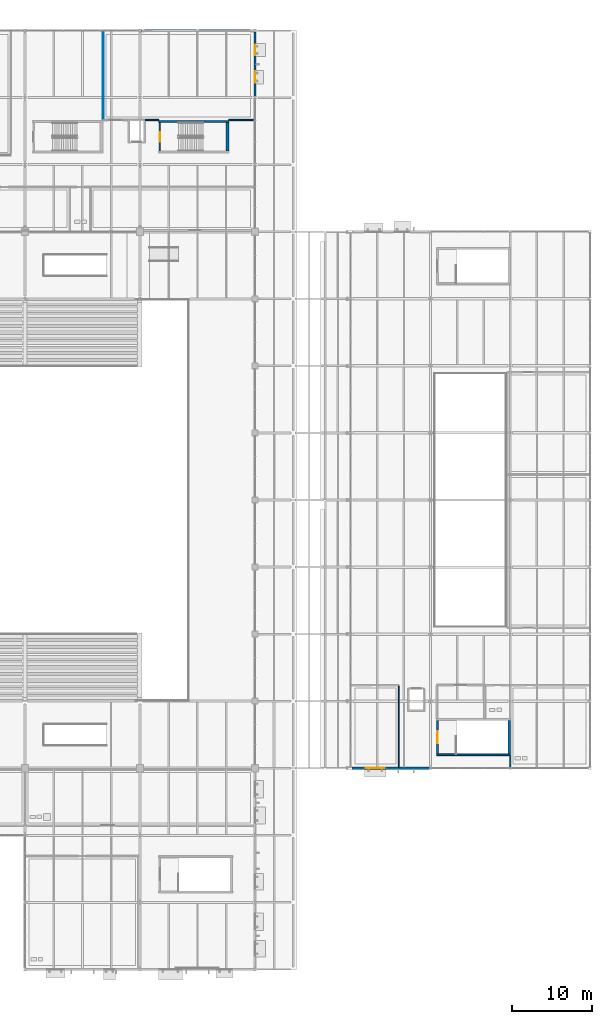
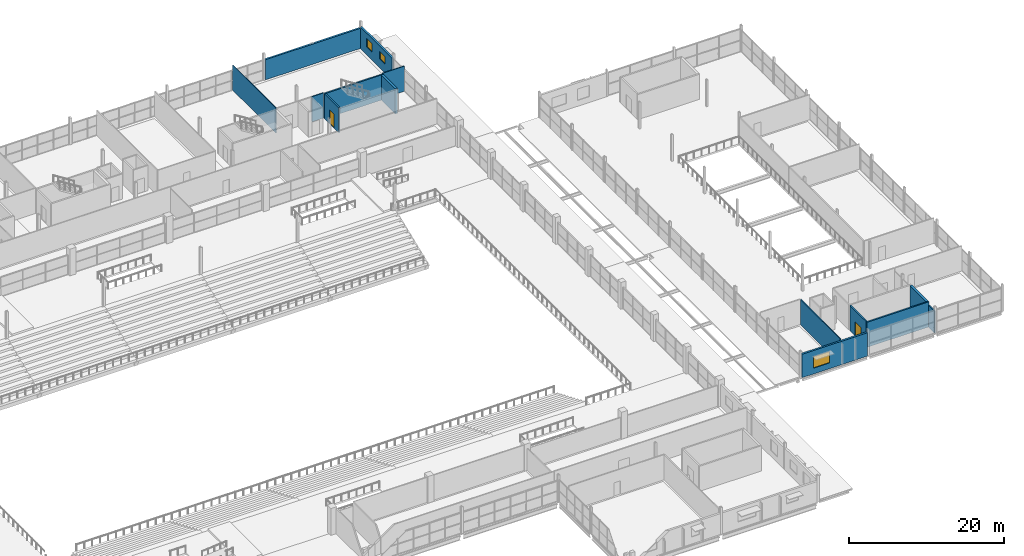
# One storey, part 139 of 161: 14 walls, 3 windows, 2 doors, 5 openings.
"""IFC4 building model written with IfcOpenShell, lengths in metres."""

from ifc_helpers import new_model, si_unit, direction, frame, frame_2d, origin, place, context, subcontext, project, spatial, rectangle, extrude, material, layer, layer_set, type_object, element, fill, save


model = new_model("IFC4")

# Units and contexts
model_context = context("Model", 3, precision=1e-05, world=origin(), true_north=direction((0.0, 1.0)))
body_context = subcontext(model_context, "Body", "Model", "MODEL_VIEW")
ifc_project = project(units=[si_unit("LENGTHUNIT", "METRE"), si_unit("AREAUNIT", "SQUARE_METRE"), si_unit("VOLUMEUNIT", "CUBIC_METRE"), si_unit("PLANEANGLEUNIT", "RADIAN"), si_unit("MASSUNIT", "GRAM", prefix="KILO"), si_unit("THERMODYNAMICTEMPERATUREUNIT", "KELVIN")], contexts=[model_context])

# Site, building, storey
site_placement = place(None, origin())
site = spatial("IfcSite", under=ifc_project, at=site_placement, CompositionType="ELEMENT")
building_placement = place(site_placement, origin())
building = spatial("IfcBuilding", under=site, at=building_placement, Name="Nduvali Passage Aquatics Centre", CompositionType="ELEMENT")
storey_placement = place(building_placement, frame((0.0, 0.0, 4.800048828125)))
storey = spatial("IfcBuildingStorey", under=building, at=storey_placement, Name="L01", CompositionType="ELEMENT", Elevation=4.800048828125)

# Wall
ifc_material_1 = material(Name="Coral-stone masonry blockwork", Category="masonry")
ifc_layer_1 = layer(ifc_material_1, 0.280029296875, Name="Coral-stone masonry blockwork")
ifc_layer_set_1 = layer_set([ifc_layer_1], Name="Coral-stone masonry blockwork")
wall_type_1 = type_object("IfcWallType", Name="ENV-WAL-CORAL280", PredefinedType="STANDARD", material=ifc_layer_set_1)
wall_1_placement = place(storey_placement, frame((125.845458984375, 117.60009765625, 0.0), z_axis=(0.0, 0.0, 1.0), x_axis=(-1.0, 0.0, 0.0)))
element("IfcWall", 1, at=wall_1_placement, inside=storey, type_object=wall_type_1, Name="L01 North Avenue Civic Facade 0061", PredefinedType="STANDARD", context=body_context, shape_type="SweptSolid", body=[
    extrude(rectangle(XDim=14.0908203125, YDim=0.280029296875, at=frame_2d((7.04541015625, 0.0))), origin(), (0.0, 0.0, 1.0), 3.173828125),
])

# Wall, openings, windows
wall_2_placement = place(storey_placement, frame((126.0, 109.3603515625, 0.0), z_axis=(0.0, 0.0, 1.0), x_axis=(0.0, 1.0, 0.0)))
wall_2 = element("IfcWall", 2, at=wall_2_placement, inside=storey, type_object=wall_type_1, Name="L01 North Wing East Facade 0065", PredefinedType="STANDARD", context=body_context, shape_type="SweptSolid", body=[
    extrude(rectangle(XDim=8.079345703125, YDim=0.280029296875, at=frame_2d((4.03955078125, 0.0))), origin(), (0.0, 0.0, 1.0), 3.396484375),
])
opening_1_placement = place(wall_2_placement, frame((1.72412109375, 0.0, 1.35009765625)))
opening_1 = element("IfcOpeningElement", 3, at=opening_1_placement, cuts=wall_2, Name="Opening W13", PredefinedType="OPENING", context=body_context, shape_type="SweptSolid", body=[
    extrude(rectangle(XDim=1.39990234375, YDim=1.199951171875, at=frame_2d((0.699951171875, 0.60009765625))), frame((0.0, 0.15478515625, 0.0), z_axis=(0.0, -1.0, 0.0), x_axis=(1.0, 0.0, 0.0)), (0.0, 0.0, 1.0), 0.309814453125),
])
opening_2_placement = place(wall_2_placement, frame((5.1669921875, 0.0, 1.199951171875)))
opening_2 = element("IfcOpeningElement", 4, at=opening_2_placement, cuts=wall_2, Name="Opening W18", PredefinedType="OPENING", context=body_context, shape_type="SweptSolid", body=[
    extrude(rectangle(XDim=1.300048828125, YDim=1.35009765625, at=frame_2d((0.64990234375, 0.675048828125))), frame((0.0, 0.15478515625, 0.0), z_axis=(0.0, -1.0, 0.0), x_axis=(1.0, 0.0, 0.0)), (0.0, 0.0, 1.0), 0.309814453125),
])
ifc_material_2 = material(Name="Aluminium-framed solar-control low-E IGU", Category="aluminium")
window_type_1 = type_object("IfcWindowType", Name="ENV-WIN-W13", PartitioningType="SINGLE_PANEL", PredefinedType="WINDOW", material=ifc_material_2)
window_1_placement = place(opening_1_placement, origin())
window_1 = element("IfcWindow", 5, at=window_1_placement, inside=storey, type_object=window_type_1, Name="L01 Exterior Window W13-0064", OverallHeight=1.199951171875, OverallWidth=1.39990234375, PartitioningType="SINGLE_PANEL", PredefinedType="WINDOW", context=body_context, shape_type="SweptSolid", body=[
    extrude(rectangle(XDim=1.39990234375, YDim=1.199951171875, at=frame_2d((0.699951171875, 0.60009765625))), frame((0.0, 0.030029296875, 0.0), z_axis=(0.0, -1.0, 0.0), x_axis=(1.0, 0.0, 0.0)), (0.0, 0.0, 1.0), 0.06005859375),
])
fill(opening_1, window_1)
window_type_2 = type_object("IfcWindowType", Name="ENV-WIN-W18", PartitioningType="SINGLE_PANEL", PredefinedType="WINDOW", material=ifc_material_2)
window_2_placement = place(opening_2_placement, origin())
window_2 = element("IfcWindow", 6, at=window_2_placement, inside=storey, type_object=window_type_2, Name="L01 Exterior Window W18-0065", OverallHeight=1.35009765625, OverallWidth=1.300048828125, PartitioningType="SINGLE_PANEL", PredefinedType="WINDOW", context=body_context, shape_type="SweptSolid", body=[
    extrude(rectangle(XDim=1.300048828125, YDim=1.35009765625, at=frame_2d((0.64990234375, 0.675048828125))), frame((0.0, 0.030029296875, 0.0), z_axis=(0.0, -1.0, 0.0), x_axis=(1.0, 0.0, 0.0)), (0.0, 0.0, 1.0), 0.06005859375),
])
fill(opening_2, window_2)

# Wall, opening, window
wall_3_placement = place(storey_placement, frame((138.14990234375, 25.199951171875, 0.0), z_axis=(0.0, 0.0, 1.0), x_axis=(1.0, 0.0, 0.0)))
wall_3 = element("IfcWall", 7, at=wall_3_placement, inside=storey, type_object=wall_type_1, Name="L01 East Pavilion South Facade 0099", PredefinedType="STANDARD", context=body_context, shape_type="SweptSolid", body=[
    extrude(rectangle(XDim=9.710205078125, YDim=0.280029296875, at=frame_2d((4.85498046875, 0.0))), origin(), (0.0, 0.0, 1.0), 3.676025390625),
])
opening_3_placement = place(wall_3_placement, frame((1.712890625, 0.0, 0.89990234375)))
opening_3 = element("IfcOpeningElement", 8, at=opening_3_placement, cuts=wall_3, Name="Opening W1", PredefinedType="OPENING", context=body_context, shape_type="SweptSolid", body=[
    extrude(rectangle(XDim=2.39990234375, YDim=1.800048828125, at=frame_2d((1.199951171875, 0.89990234375))), frame((0.0, 0.15478515625, 0.0), z_axis=(0.0, -1.0, 0.0), x_axis=(1.0, 0.0, 0.0)), (0.0, 0.0, 1.0), 0.309814453125),
])
window_type_3 = type_object("IfcWindowType", Name="ENV-WIN-W1", PartitioningType="SINGLE_PANEL", PredefinedType="WINDOW", material=ifc_material_2)
window_3_placement = place(opening_3_placement, origin())
window_3 = element("IfcWindow", 9, at=window_3_placement, inside=storey, type_object=window_type_3, Name="L01 Exterior Window W1-0089", OverallHeight=1.800048828125, OverallWidth=2.39990234375, PartitioningType="SINGLE_PANEL", PredefinedType="WINDOW", context=body_context, shape_type="SweptSolid", body=[
    extrude(rectangle(XDim=2.39990234375, YDim=1.800048828125, at=frame_2d((1.199951171875, 0.89990234375))), frame((0.0, 0.030029296875, 0.0), z_axis=(0.0, -1.0, 0.0), x_axis=(1.0, 0.0, 0.0)), (0.0, 0.0, 1.0), 0.06005859375),
])
fill(opening_3, window_3)

# Wall
ifc_material_3 = material(Name="Concrete C40/50", Category="concrete")
ifc_layer_2 = layer(ifc_material_3, 0.219970703125, Name="Concrete C40/50")
ifc_layer_set_2 = layer_set([ifc_layer_2], Name="Concrete C40/50")
wall_type_2 = type_object("IfcWallType", Name="INT-WAL-CORE220", PredefinedType="SOLIDWALL", material=ifc_layer_set_2)
wall_4_placement = place(storey_placement, frame((122.75, 106.199951171875, 0.0), z_axis=(0.0, 0.0, 1.0), x_axis=(-1.0, 0.0, 0.0)))
element("IfcWall", 10, at=wall_4_placement, inside=storey, type_object=wall_type_2, Name="L01 Stair ST2 Core Wall N", PredefinedType="SOLIDWALL", context=body_context, shape_type="SweptSolid", body=[
    extrude(rectangle(XDim=8.77001953125, YDim=0.219970703125, at=frame_2d((4.385009765625, 0.0))), origin(), (0.0, 0.0, 1.0), 3.93994140625),
])

# Wall, opening, door
wall_5_placement = place(storey_placement, frame((114.090087890625, 106.090087890625, 0.0), z_axis=(0.0, 0.0, 1.0), x_axis=(0.0, -1.0, 0.0)))
wall_5 = element("IfcWall", 11, at=wall_5_placement, inside=storey, type_object=wall_type_2, Name="L01 Stair ST2 Core Wall W", PredefinedType="SOLIDWALL", context=body_context, shape_type="SweptSolid", body=[
    extrude(rectangle(XDim=3.590087890625, YDim=0.219970703125, at=frame_2d((1.794921875, 0.0))), origin(), (0.0, 0.0, 1.0), 3.93994140625),
])
opening_4_placement = place(wall_5_placement, frame((1.195068359375, 0.0, 0.0)))
opening_4 = element("IfcOpeningElement", 12, at=opening_4_placement, cuts=wall_5, Name="Opening FD-ST2", PredefinedType="OPENING", context=body_context, shape_type="SweptSolid", body=[
    extrude(rectangle(XDim=1.199951171875, YDim=2.199951171875, at=frame_2d((0.60009765625, 1.10009765625))), frame((0.0, 0.125, 0.0), z_axis=(0.0, -1.0, 0.0), x_axis=(1.0, 0.0, 0.0)), (0.0, 0.0, 1.0), 0.249755859375),
])
ifc_material_4 = material(Name="Galvanised steel door", Category="steel")
door_type_1 = type_object("IfcDoorType", Name="INT-DR-ST120", OperationType="NOTDEFINED", PredefinedType="DOOR", material=ifc_material_4)
door_1_placement = place(opening_4_placement, frame((1.199951171875, 0.0, 0.0), z_axis=(0.0, 0.0, 1.0), x_axis=(-1.0, 0.0, 0.0)))
door_1 = element("IfcDoor", 13, at=door_1_placement, inside=storey, type_object=door_type_1, Name="L01 Stair ST2 Fire Lobby Door", OperationType="SINGLE_SWING_RIGHT", OverallHeight=2.199951171875, OverallWidth=1.199951171875, PredefinedType="DOOR", context=body_context, shape_type="SweptSolid", body=[
    extrude(rectangle(XDim=1.199951171875, YDim=2.199951171875, at=frame_2d((0.60009765625, 1.10009765625))), frame((0.0, 0.02490234375, 0.0), z_axis=(0.0, -1.0, 0.0), x_axis=(1.0, 0.0, 0.0)), (0.0, 0.0, 1.0), 0.050048828125),
])
fill(opening_4, door_1)

# Wall
wall_6_placement = place(storey_placement, frame((148.780029296875, 26.889892578125, 0.0), z_axis=(0.0, 0.0, 1.0), x_axis=(1.0, 0.0, 0.0)))
element("IfcWall", 14, at=wall_6_placement, inside=storey, type_object=wall_type_2, Name="L01 Stair ST7 Core Wall S", PredefinedType="SOLIDWALL", context=body_context, shape_type="SweptSolid", body=[
    extrude(rectangle(XDim=9.219970703125, YDim=0.219970703125, at=frame_2d((4.60986328125, 0.0))), origin(), (0.0, 0.0, 1.0), 3.93994140625),
])

# Wall, opening, door
wall_7_placement = place(storey_placement, frame((148.889892578125, 31.18994140625, 0.0), z_axis=(0.0, 0.0, 1.0), x_axis=(0.0, -1.0, 0.0)))
wall_7 = element("IfcWall", 15, at=wall_7_placement, inside=storey, type_object=wall_type_2, Name="L01 Stair ST7 Core Wall W", PredefinedType="SOLIDWALL", context=body_context, shape_type="SweptSolid", body=[
    extrude(rectangle(XDim=4.18994140625, YDim=0.219970703125, at=frame_2d((2.094970703125, 0.0))), origin(), (0.0, 0.0, 1.0), 3.93994140625),
])
opening_5_placement = place(wall_7_placement, frame((1.344970703125, 0.0, 0.0)))
opening_5 = element("IfcOpeningElement", 16, at=opening_5_placement, cuts=wall_7, Name="Opening FD-ST1", PredefinedType="OPENING", context=body_context, shape_type="SweptSolid", body=[
    extrude(rectangle(XDim=1.5, YDim=2.199951171875, at=frame_2d((0.75, 1.10009765625))), frame((0.0, 0.125, 0.0), z_axis=(0.0, -1.0, 0.0), x_axis=(1.0, 0.0, 0.0)), (0.0, 0.0, 1.0), 0.249755859375),
])
door_type_2 = type_object("IfcDoorType", Name="INT-DR-ST150", OperationType="DOUBLE_DOOR_SINGLE_SWING", PredefinedType="DOOR", material=ifc_material_4)
door_2_placement = place(opening_5_placement, frame((1.5, 0.0, 0.0), z_axis=(0.0, 0.0, 1.0), x_axis=(-1.0, 0.0, 0.0)))
door_2 = element("IfcDoor", 17, at=door_2_placement, inside=storey, type_object=door_type_2, Name="L01 Stair ST7 Fire Lobby Door", OperationType="DOUBLE_DOOR_SINGLE_SWING", OverallHeight=2.199951171875, OverallWidth=1.5, PredefinedType="DOOR", context=body_context, shape_type="SweptSolid", body=[
    extrude(rectangle(XDim=1.5, YDim=2.199951171875, at=frame_2d((0.75, 1.10009765625))), frame((0.0, 0.02490234375, 0.0), z_axis=(0.0, -1.0, 0.0), x_axis=(1.0, 0.0, 0.0)), (0.0, 0.0, 1.0), 0.050048828125),
])
fill(opening_5, door_2)

# Walls
ifc_material_5 = material(Name="Glulam GL28h", Category="wood")
ifc_layer_3 = layer(ifc_material_5, 0.10009765625, Name="Glulam GL28h")
ifc_layer_set_3 = layer_set([ifc_layer_3], Name="Glulam GL28h")
wall_type_3 = type_object("IfcWallType", Name="INT-WAL-MOV100", PredefinedType="MOVABLE", material=ifc_layer_set_3)
wall_8_placement = place(storey_placement, frame((107.0, 106.469970703125, 0.0), z_axis=(0.0, 0.0, 1.0), x_axis=(0.0, 1.0, 0.0)))
element("IfcWall", 18, at=wall_8_placement, inside=storey, type_object=wall_type_3, Name="L01 Athletic Recovery Stretch Studio Partition 0157", PredefinedType="MOVABLE", context=body_context, shape_type="SweptSolid", body=[
    extrude(rectangle(XDim=11.110107421875, YDim=0.10009765625, at=frame_2d((5.55517578125, 0.0))), origin(), (0.0, 0.0, 1.0), 3.93994140625),
])
ifc_material_6 = material(Name="Gypsum acoustic stud partition")
ifc_layer_4 = layer(ifc_material_6, 0.139892578125, Name="Gypsum acoustic stud partition")
ifc_layer_set_4 = layer_set([ifc_layer_4], Name="Gypsum acoustic stud partition")
wall_type_4 = type_object("IfcWallType", Name="INT-WAL-PART140", PredefinedType="PARTITIONING", material=ifc_layer_set_4)
wall_9_placement = place(storey_placement, frame((112.27001953125, 106.39990234375, 0.0), z_axis=(0.0, 0.0, 1.0), x_axis=(1.0, 0.0, 0.0)))
element("IfcWall", 19, at=wall_9_placement, inside=storey, type_object=wall_type_4, Name="L01 Athletic Recovery Stretch Studio Partition 0155", PredefinedType="PARTITIONING", context=body_context, shape_type="SweptSolid", body=[
    extrude(rectangle(XDim=1.7099609375, YDim=0.139892578125, at=frame_2d((0.85498046875, 0.0))), origin(), (0.0, 0.0, 1.0), 3.93994140625),
])
wall_10_placement = place(storey_placement, frame((122.75, 106.39990234375, 0.0), z_axis=(0.0, 0.0, 1.0), x_axis=(1.0, 0.0, 0.0)))
element("IfcWall", 20, at=wall_10_placement, inside=storey, type_object=wall_type_4, Name="L01 Athletic Recovery Stretch Studio Partition 0156", PredefinedType="PARTITIONING", context=body_context, shape_type="SweptSolid", body=[
    extrude(rectangle(XDim=3.22998046875, YDim=0.139892578125, at=frame_2d((1.614990234375, 0.0))), origin(), (0.0, 0.0, 1.0), 3.93994140625),
])
wall_11_placement = place(storey_placement, frame((144.0, 25.340087890625, 0.0), z_axis=(0.0, 0.0, 1.0), x_axis=(0.0, 1.0, 0.0)))
element("IfcWall", 21, at=wall_11_placement, inside=storey, type_object=wall_type_4, Name="L01 Event Media Accreditation Office Partition 0159", PredefinedType="PARTITIONING", context=body_context, shape_type="SweptSolid", body=[
    extrude(rectangle(XDim=10.18994140625, YDim=0.139892578125, at=frame_2d((5.094970703125, 0.0))), origin(), (0.0, 0.0, 1.0), 3.93994140625),
])
ifc_layer_5 = layer(ifc_material_1, 0.14990234375, Name="Coral-stone masonry blockwork")
ifc_layer_set_5 = layer_set([ifc_layer_5], Name="Coral-stone masonry blockwork")
wall_type_5 = type_object("IfcWallType", Name="INT-WAL-WET150", PredefinedType="PLUMBINGWALL", material=ifc_layer_set_5)
wall_12_placement = place(storey_placement, frame((158.0, 25.219970703125, 0.0), z_axis=(0.0, 0.0, 1.0), x_axis=(0.0, 1.0, 0.0)))
element("IfcWall", 22, at=wall_12_placement, inside=storey, type_object=wall_type_5, Name="L01 Upper Pavilion Public and Doping Sample WCs Partition 0166", PredefinedType="PLUMBINGWALL", context=body_context, shape_type="SweptSolid", body=[
    extrude(rectangle(XDim=1.56005859375, YDim=0.14990234375, at=frame_2d((0.780029296875, 0.0))), origin(), (0.0, 0.0, 1.0), 3.436279296875),
])
ifc_layer_6 = layer(ifc_material_3, 0.300048828125, Name="Concrete C40/50")
ifc_layer_set_6 = layer_set([ifc_layer_6], Name="Concrete C40/50")
wall_type_6 = type_object("IfcWallType", Name="STR-WAL-SHR300", PredefinedType="SHEAR", material=ifc_layer_set_6)
wall_13_placement = place(storey_placement, frame((157.85009765625, 27.0, 0.0), z_axis=(0.0, 0.0, 1.0), x_axis=(0.0, 1.0, 0.0)))
element("IfcWall", 23, at=wall_13_placement, inside=storey, type_object=wall_type_6, Name="L01 Stair ST7 Core Shear Wall E", PredefinedType="SHEAR", context=body_context, shape_type="SweptSolid", body=[
    extrude(rectangle(XDim=4.18994140625, YDim=0.300048828125, at=frame_2d((2.094970703125, 0.0))), origin(), (0.0, 0.0, 1.0), 3.93994140625),
])
ifc_layer_7 = layer(ifc_material_3, 0.35009765625, Name="Concrete C40/50")
ifc_layer_set_7 = layer_set([ifc_layer_7], Name="Concrete C40/50")
wall_type_7 = type_object("IfcWallType", Name="STR-WAL-SHR350", PredefinedType="SHEAR", material=ifc_layer_set_7)
wall_14_placement = place(storey_placement, frame((122.574951171875, 102.5, 0.0), z_axis=(0.0, 0.0, 1.0), x_axis=(0.0, 1.0, 0.0)))
element("IfcWall", 24, at=wall_14_placement, inside=storey, type_object=wall_type_7, Name="L01 Stair ST2 Core Shear Wall E", PredefinedType="SHEAR", context=body_context, shape_type="SweptSolid", body=[
    extrude(rectangle(XDim=3.590087890625, YDim=0.35009765625, at=frame_2d((1.794921875, 0.0))), origin(), (0.0, 0.0, 1.0), 3.93994140625),
])

save(model, "model.ifc")
